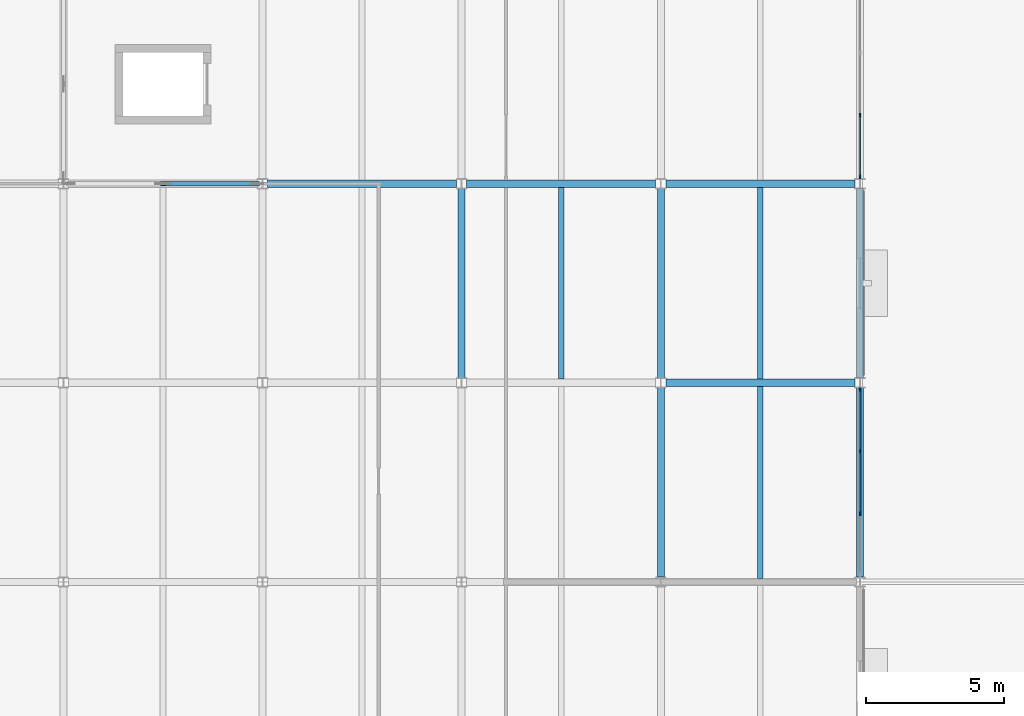
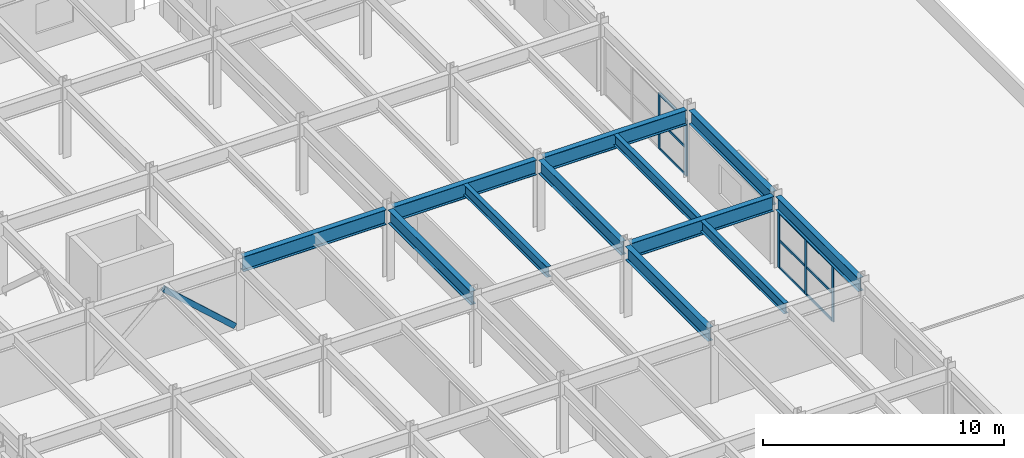
# One storey, part 34 of 80: 15 members, 12 beams, 2 elements without a shape of their own.
"""IFC4 building model written with IfcOpenShell, lengths in metres."""

from ifc_helpers import new_model, si_unit, direction, frame, origin, origin_2d, place, context, subcontext, project, spatial, rectangle, hollow_rectangle, i_section, extrude, material, material_profile, profile_set, type_object, element, aggregate, save


model = new_model("IFC4")

# Units and contexts
model_context = context("Model", 3, precision=1e-05, world=origin(), true_north=direction((0.0, 1.0)))
body_context = subcontext(model_context, "Body", "Model", "MODEL_VIEW")
ifc_project = project(units=[si_unit("LENGTHUNIT", "METRE"), si_unit("AREAUNIT", "SQUARE_METRE"), si_unit("VOLUMEUNIT", "CUBIC_METRE"), si_unit("PLANEANGLEUNIT", "RADIAN"), si_unit("MASSUNIT", "GRAM", prefix="KILO")], contexts=[model_context])

# Site, building, storey
site_placement = place(None, origin())
site = spatial("IfcSite", under=ifc_project, at=site_placement, CompositionType="ELEMENT")
building_placement = place(site_placement, origin())
building = spatial("IfcBuilding", under=site, at=building_placement, Name="Vaelcorin Mobility Hub", CompositionType="ELEMENT")
storey_placement = place(building_placement, frame((0.0, 0.0, 9.300048828125)))
storey = spatial("IfcBuildingStorey", under=building, at=storey_placement, Name="L02", CompositionType="ELEMENT", Elevation=9.300048828125)

# Beams
ifc_material_1 = material(Name="Steel ASTM A992 Grade 50", Category="steel")
ifc_material_profile_1 = material_profile(ifc_material_1, i_section(OverallWidth=0.2099609375, OverallDepth=0.532958984375, WebThickness=0.01025390625, FlangeThickness=0.015625, FilletRadius=0.013916015625, at=origin_2d()), Name="W21X62")
ifc_profile_set_1 = profile_set([ifc_material_profile_1], Name="Steel ASTM A992 Grade 50")
beam_type_1 = type_object("IfcBeamType", Name="BM-W21X62", PredefinedType="JOIST", material=ifc_profile_set_1)
for number, where, z_axis, x_axis, name in (
    (1, (178.800048828125, 91.33203125, 3.333984375), (0.0, 1.0, 0.0), (-1.0, 0.0, 0.0), "L02 Beam V5-L02-J-04-11-1"),
    (2, (186.0, 84.132080078125, 3.333984375), (0.0, 1.0, 0.0), (-1.0, 0.0, 0.0), "L02 Beam V5-L02-J-05-10-1"),
    (3, (186.0, 91.33203125, 3.333984375), (0.0, 1.0, 0.0), (-1.0, 0.0, 0.0), "L02 Beam V5-L02-J-05-11-1"),
):
    element("IfcBeam", number, at=place(storey_placement, frame(where, z_axis=z_axis, x_axis=x_axis)), inside=storey, type_object=beam_type_1, Name=name, PredefinedType="JOIST", context=body_context, shape_type="SweptSolid", body=[
        extrude(i_section(OverallWidth=0.2099609375, OverallDepth=0.532958984375, WebThickness=0.01025390625, FlangeThickness=0.015625, FilletRadius=0.013916015625, at=origin_2d()), origin(), (0.0, 0.0, 1.0), 6.93603515625),
    ])
ifc_material_profile_2 = material_profile(ifc_material_1, i_section(OverallWidth=0.25390625, OverallDepth=0.68310546875, WebThickness=0.012451171875, FlangeThickness=0.018798828125, FilletRadius=0.01611328125, at=origin_2d()), Name="W27X94")
ifc_profile_set_2 = profile_set([ifc_material_profile_2], Name="Steel ASTM A992 Grade 50")
beam_type_2 = type_object("IfcBeamType", Name="BM-W27X94", PredefinedType="BEAM", material=ifc_profile_set_2)
beam_1_placement = place(storey_placement, frame((175.199951171875, 91.3759765625, 3.258056640625), z_axis=(0.0, 1.0, 0.0), x_axis=(-1.0, 0.0, 0.0)))
element("IfcBeam", 4, at=beam_1_placement, inside=storey, type_object=beam_type_2, Name="L02 Beam V5-L02-GY-04-11", PredefinedType="BEAM", context=body_context, shape_type="SweptSolid", body=[
    extrude(i_section(OverallWidth=0.25390625, OverallDepth=0.68310546875, WebThickness=0.012451171875, FlangeThickness=0.018798828125, FilletRadius=0.01611328125, at=origin_2d()), origin(), (0.0, 0.0, 1.0), 6.84814453125),
])
beam_2_placement = place(storey_placement, frame((182.39990234375, 84.176025390625, 3.258056640625), z_axis=(0.0, 1.0, 0.0), x_axis=(-1.0, 0.0, 0.0)))
element("IfcBeam", 5, at=beam_2_placement, inside=storey, type_object=beam_type_2, Name="L02 Beam V5-L02-GY-05-10", PredefinedType="BEAM", context=body_context, shape_type="SweptSolid", body=[
    extrude(i_section(OverallWidth=0.25390625, OverallDepth=0.68310546875, WebThickness=0.012451171875, FlangeThickness=0.018798828125, FilletRadius=0.01611328125, at=origin_2d()), origin(), (0.0, 0.0, 1.0), 6.847900390625),
])
beam_3_placement = place(storey_placement, frame((182.39990234375, 91.3759765625, 3.258056640625), z_axis=(0.0, 1.0, 0.0), x_axis=(-1.0, 0.0, 0.0)))
element("IfcBeam", 6, at=beam_3_placement, inside=storey, type_object=beam_type_2, Name="L02 Beam V5-L02-GY-05-11", PredefinedType="BEAM", context=body_context, shape_type="SweptSolid", body=[
    extrude(i_section(OverallWidth=0.25390625, OverallDepth=0.68310546875, WebThickness=0.012451171875, FlangeThickness=0.018798828125, FilletRadius=0.01611328125, at=origin_2d()), origin(), (0.0, 0.0, 1.0), 6.84814453125),
])
beam_4_placement = place(storey_placement, frame((189.60009765625, 84.176025390625, 3.258056640625), z_axis=(0.0, 1.0, 0.0), x_axis=(-1.0, 0.0, 0.0)))
element("IfcBeam", 7, at=beam_4_placement, inside=storey, type_object=beam_type_2, Name="L02 Beam V5-L02-GY-06-10", PredefinedType="BEAM", context=body_context, shape_type="SweptSolid", body=[
    extrude(i_section(OverallWidth=0.25390625, OverallDepth=0.68310546875, WebThickness=0.012451171875, FlangeThickness=0.018798828125, FilletRadius=0.01611328125, at=origin_2d()), origin(), (0.0, 0.0, 1.0), 6.847900390625),
])
beam_5_placement = place(storey_placement, frame((189.60009765625, 91.3759765625, 3.258056640625), z_axis=(0.0, 1.0, 0.0), x_axis=(-1.0, 0.0, 0.0)))
element("IfcBeam", 8, at=beam_5_placement, inside=storey, type_object=beam_type_2, Name="L02 Beam V5-L02-GY-06-11", PredefinedType="BEAM", context=body_context, shape_type="SweptSolid", body=[
    extrude(i_section(OverallWidth=0.25390625, OverallDepth=0.68310546875, WebThickness=0.012451171875, FlangeThickness=0.018798828125, FilletRadius=0.01611328125, at=origin_2d()), origin(), (0.0, 0.0, 1.0), 6.84814453125),
])
ifc_material_profile_3 = material_profile(ifc_material_1, i_section(OverallWidth=0.26708984375, OverallDepth=0.757080078125, WebThickness=0.013916015625, FlangeThickness=0.019287109375, FilletRadius=0.01708984375, at=origin_2d()), Name="W30X108")
ifc_profile_set_3 = profile_set([ifc_material_profile_3], Name="Steel ASTM A992 Grade 50")
beam_type_3 = type_object("IfcBeamType", Name="BM-W30X108", PredefinedType="BEAM", material=ifc_profile_set_3)
beam_6_placement = place(storey_placement, frame((182.58203125, 91.199951171875, 3.221923828125), z_axis=(1.0, 0.0, 0.0), x_axis=(0.0, 1.0, 0.0)))
element("IfcBeam", 9, at=beam_6_placement, inside=storey, type_object=beam_type_3, Name="L02 Beam V5-L02-GX-11-05", PredefinedType="BEAM", context=body_context, shape_type="SweptSolid", body=[
    extrude(i_section(OverallWidth=0.26708984375, OverallDepth=0.757080078125, WebThickness=0.013916015625, FlangeThickness=0.019287109375, FilletRadius=0.01708984375, at=origin_2d()), origin(), (0.0, 0.0, 1.0), 6.8359375),
])
beam_7_placement = place(storey_placement, frame((168.181884765625, 98.39990234375, 3.221923828125), z_axis=(1.0, 0.0, 0.0), x_axis=(0.0, 1.0, 0.0)))
element("IfcBeam", 10, at=beam_7_placement, inside=storey, type_object=beam_type_3, Name="L02 Beam V5-L02-GX-12-03", PredefinedType="BEAM", context=body_context, shape_type="SweptSolid", body=[
    extrude(i_section(OverallWidth=0.26708984375, OverallDepth=0.757080078125, WebThickness=0.013916015625, FlangeThickness=0.019287109375, FilletRadius=0.01708984375, at=origin_2d()), origin(), (0.0, 0.0, 1.0), 6.836181640625),
])
for number, where, z_axis, x_axis, name in (
    (11, (175.382080078125, 98.39990234375, 3.221923828125), (1.0, 0.0, 0.0), (0.0, 1.0, 0.0), "L02 Beam V5-L02-GX-12-04"),
    (12, (182.58203125, 98.39990234375, 3.221923828125), (1.0, 0.0, 0.0), (0.0, 1.0, 0.0), "L02 Beam V5-L02-GX-12-05"),
):
    element("IfcBeam", number, at=place(storey_placement, frame(where, z_axis=z_axis, x_axis=x_axis)), inside=storey, type_object=beam_type_3, Name=name, PredefinedType="BEAM", context=body_context, shape_type="SweptSolid", body=[
        extrude(i_section(OverallWidth=0.26708984375, OverallDepth=0.757080078125, WebThickness=0.013916015625, FlangeThickness=0.019287109375, FilletRadius=0.01708984375, at=origin_2d()), origin(), (0.0, 0.0, 1.0), 6.8359375),
    ])

# Member
ifc_material_2 = material(Name="Steel ASTM A500 Grade C", Category="steel")
ifc_material_profile_4 = material_profile(ifc_material_2, hollow_rectangle(XDim=0.15234375, YDim=0.25390625, WallThickness=0.01171875, at=origin_2d()), Name="HSS10X6X0.500")
ifc_profile_set_4 = profile_set([ifc_material_profile_4], Name="Steel ASTM A500 Grade C")
member_type_1 = type_object("IfcMemberType", Name="BR-SCBF-10X6", PredefinedType="BRACE", material=ifc_profile_set_4)
member_1_placement = place(storey_placement, frame((167.81005859375, 98.39990234375, 0.179931640625), z_axis=(-0.74319360332, 0.0, 0.669076429106), x_axis=(0.0, -1.0, 0.0)))
element("IfcMember", 13, at=member_1_placement, inside=storey, type_object=member_type_1, Name="SCBF Chevron Brace V5-BX2-L02-B", PredefinedType="BRACE", context=body_context, shape_type="SweptSolid", body=[
    extrude(hollow_rectangle(XDim=0.15234375, YDim=0.25390625, WallThickness=0.01171875, at=origin_2d()), origin(), (0.0, 0.0, 1.0), 4.588623046875),
])

# Curtain wall, members
ifc_material_3 = material(Name="Anodised aluminium 6063-T6", Category="aluminium")
curtain_wall_type = type_object("IfcCurtainWallType", Name="CW-MOB-A", PredefinedType="NOTDEFINED", material=ifc_material_3)
curtain_wall_1_placement = place(storey_placement, origin())
curtain_wall_1 = element("IfcCurtainWall", 14, at=curtain_wall_1_placement, inside=storey, type_object=curtain_wall_type, Name="L02 Curtain Wall CW-V5-L02-E-10", PredefinedType="NOTDEFINED")
ifc_material_profile_5 = material_profile(ifc_material_3, rectangle(XDim=0.06005859375, YDim=0.159912109375, at=origin_2d()), Name="ALU-M60X160")
ifc_profile_set_5 = profile_set([ifc_material_profile_5], Name="Anodised aluminium 6063-T6")
member_type_2 = type_object("IfcMemberType", Name="CW-MULL-160", PredefinedType="MULLION", material=ifc_profile_set_5)
member_2_placement = place(storey_placement, frame((189.60009765625, 90.949951171875, 0.0), z_axis=(0.0, 0.0, 1.0), x_axis=(1.0, 0.0, 0.0)))
member_2 = element("IfcMember", 15, at=member_2_placement, type_object=member_type_2, Name="CW7 mullion 1", PredefinedType="MULLION", context=body_context, shape_type="SweptSolid", body=[
    extrude(rectangle(XDim=0.06005859375, YDim=0.159912109375, at=origin_2d()), origin(), (0.0, 0.0, 1.0), 2.827880859375),
])
member_3_placement = place(storey_placement, frame((189.60009765625, 88.7265625, 0.0), z_axis=(0.0, 0.0, 1.0), x_axis=(1.0, 0.0, 0.0)))
member_3 = element("IfcMember", 16, at=member_3_placement, type_object=member_type_2, Name="CW7 mullion 2", PredefinedType="MULLION", context=body_context, shape_type="SweptSolid", body=[
    extrude(rectangle(XDim=0.06005859375, YDim=0.159912109375, at=origin_2d()), origin(), (0.0, 0.0, 1.0), 2.827880859375),
])
member_4_placement = place(storey_placement, frame((189.60009765625, 86.473388671875, 0.0), z_axis=(0.0, 0.0, 1.0), x_axis=(1.0, 0.0, 0.0)))
member_4 = element("IfcMember", 17, at=member_4_placement, type_object=member_type_2, Name="CW7 mullion 3", PredefinedType="MULLION", context=body_context, shape_type="SweptSolid", body=[
    extrude(rectangle(XDim=0.06005859375, YDim=0.159912109375, at=origin_2d()), origin(), (0.0, 0.0, 1.0), 2.827880859375),
])

curtain_wall_2_placement = place(storey_placement, origin())
curtain_wall_2 = element("IfcCurtainWall", 18, at=curtain_wall_2_placement, inside=storey, type_object=curtain_wall_type, Name="L02 Curtain Wall CW-V5-L02-E-12", PredefinedType="NOTDEFINED")
member_5_placement = place(storey_placement, frame((189.60009765625, 100.873291015625, 0.0), z_axis=(0.0, 0.0, 1.0), x_axis=(1.0, 0.0, 0.0)))
member_5 = element("IfcMember", 19, at=member_5_placement, type_object=member_type_2, Name="CW7 mullion 3", PredefinedType="MULLION", context=body_context, shape_type="SweptSolid", body=[
    extrude(rectangle(XDim=0.06005859375, YDim=0.159912109375, at=origin_2d()), origin(), (0.0, 0.0, 1.0), 2.827880859375),
])
member_6_placement = place(storey_placement, frame((189.60009765625, 98.64990234375, 0.0), z_axis=(0.0, 0.0, 1.0), x_axis=(1.0, 0.0, 0.0)))
member_6 = element("IfcMember", 20, at=member_6_placement, type_object=member_type_2, Name="CW7 mullion 4", PredefinedType="MULLION", context=body_context, shape_type="SweptSolid", body=[
    extrude(rectangle(XDim=0.06005859375, YDim=0.159912109375, at=origin_2d()), origin(), (0.0, 0.0, 1.0), 2.827880859375),
])

# Member
ifc_material_profile_6 = material_profile(ifc_material_3, rectangle(XDim=0.06005859375, YDim=0.1201171875, at=origin_2d()), Name="ALU-T60X120")
ifc_profile_set_6 = profile_set([ifc_material_profile_6], Name="Anodised aluminium 6063-T6")
member_type_3 = type_object("IfcMemberType", Name="CW-TRAN-140", PredefinedType="USERDEFINED", material=ifc_profile_set_6)
member_7_placement = place(storey_placement, frame((189.60009765625, 90.919921875, 0.030029296875), z_axis=(0.0, -1.0, 0.0), x_axis=(1.0, 0.0, 0.0)))
member_7 = element("IfcMember", 21, at=member_7_placement, type_object=member_type_3, Name="CW7 transom 1.1", ObjectType="TRANSOM", PredefinedType="USERDEFINED", context=body_context, shape_type="SweptSolid", body=[
    extrude(rectangle(XDim=0.06005859375, YDim=0.1201171875, at=origin_2d()), origin(), (0.0, 0.0, 1.0), 2.163330078125),
])

member_8_placement = place(storey_placement, frame((189.60009765625, 90.919921875, 1.4140625), z_axis=(0.0, -1.0, 0.0), x_axis=(1.0, 0.0, 0.0)))
member_8 = element("IfcMember", 22, at=member_8_placement, type_object=member_type_3, Name="CW7 transom 1.2", ObjectType="TRANSOM", PredefinedType="USERDEFINED", context=body_context, shape_type="SweptSolid", body=[
    extrude(rectangle(XDim=0.06005859375, YDim=0.1201171875, at=origin_2d()), origin(), (0.0, 0.0, 1.0), 2.163330078125),
])

member_9_placement = place(storey_placement, frame((189.60009765625, 90.919921875, 2.7978515625), z_axis=(0.0, -1.0, 0.0), x_axis=(1.0, 0.0, 0.0)))
member_9 = element("IfcMember", 23, at=member_9_placement, type_object=member_type_3, Name="CW7 transom 1.3", ObjectType="TRANSOM", PredefinedType="USERDEFINED", context=body_context, shape_type="SweptSolid", body=[
    extrude(rectangle(XDim=0.06005859375, YDim=0.1201171875, at=origin_2d()), origin(), (0.0, 0.0, 1.0), 2.163330078125),
])

member_10_placement = place(storey_placement, frame((189.60009765625, 88.69677734375, 0.030029296875), z_axis=(0.0, -1.0, 0.0), x_axis=(1.0, 0.0, 0.0)))
member_10 = element("IfcMember", 24, at=member_10_placement, type_object=member_type_3, Name="CW7 transom 2.1", ObjectType="TRANSOM", PredefinedType="USERDEFINED", context=body_context, shape_type="SweptSolid", body=[
    extrude(rectangle(XDim=0.06005859375, YDim=0.1201171875, at=origin_2d()), origin(), (0.0, 0.0, 1.0), 2.193359375),
])

member_11_placement = place(storey_placement, frame((189.60009765625, 88.69677734375, 1.4140625), z_axis=(0.0, -1.0, 0.0), x_axis=(1.0, 0.0, 0.0)))
member_11 = element("IfcMember", 25, at=member_11_placement, type_object=member_type_3, Name="CW7 transom 2.2", ObjectType="TRANSOM", PredefinedType="USERDEFINED", context=body_context, shape_type="SweptSolid", body=[
    extrude(rectangle(XDim=0.06005859375, YDim=0.1201171875, at=origin_2d()), origin(), (0.0, 0.0, 1.0), 2.193359375),
])

member_12_placement = place(storey_placement, frame((189.60009765625, 88.69677734375, 2.7978515625), z_axis=(0.0, -1.0, 0.0), x_axis=(1.0, 0.0, 0.0)))
member_12 = element("IfcMember", 26, at=member_12_placement, type_object=member_type_3, Name="CW7 transom 2.3", ObjectType="TRANSOM", PredefinedType="USERDEFINED", context=body_context, shape_type="SweptSolid", body=[
    extrude(rectangle(XDim=0.06005859375, YDim=0.1201171875, at=origin_2d()), origin(), (0.0, 0.0, 1.0), 2.193359375),
])

aggregate(curtain_wall_1, [member_2, member_3, member_4, member_7, member_8, member_9, member_10, member_11, member_12])

member_13_placement = place(storey_placement, frame((189.60009765625, 100.84326171875, 0.030029296875), z_axis=(0.0, -1.0, 0.0), x_axis=(1.0, 0.0, 0.0)))
member_13 = element("IfcMember", 27, at=member_13_placement, type_object=member_type_3, Name="CW7 transom 3.1", ObjectType="TRANSOM", PredefinedType="USERDEFINED", context=body_context, shape_type="SweptSolid", body=[
    extrude(rectangle(XDim=0.06005859375, YDim=0.1201171875, at=origin_2d()), origin(), (0.0, 0.0, 1.0), 2.163330078125),
])

member_14_placement = place(storey_placement, frame((189.60009765625, 100.84326171875, 1.4140625), z_axis=(0.0, -1.0, 0.0), x_axis=(1.0, 0.0, 0.0)))
member_14 = element("IfcMember", 28, at=member_14_placement, type_object=member_type_3, Name="CW7 transom 3.2", ObjectType="TRANSOM", PredefinedType="USERDEFINED", context=body_context, shape_type="SweptSolid", body=[
    extrude(rectangle(XDim=0.06005859375, YDim=0.1201171875, at=origin_2d()), origin(), (0.0, 0.0, 1.0), 2.163330078125),
])

member_15_placement = place(storey_placement, frame((189.60009765625, 100.84326171875, 2.7978515625), z_axis=(0.0, -1.0, 0.0), x_axis=(1.0, 0.0, 0.0)))
member_15 = element("IfcMember", 29, at=member_15_placement, type_object=member_type_3, Name="CW7 transom 3.3", ObjectType="TRANSOM", PredefinedType="USERDEFINED", context=body_context, shape_type="SweptSolid", body=[
    extrude(rectangle(XDim=0.06005859375, YDim=0.1201171875, at=origin_2d()), origin(), (0.0, 0.0, 1.0), 2.163330078125),
])

aggregate(curtain_wall_2, [member_5, member_6, member_13, member_14, member_15])

save(model, "model.ifc")
